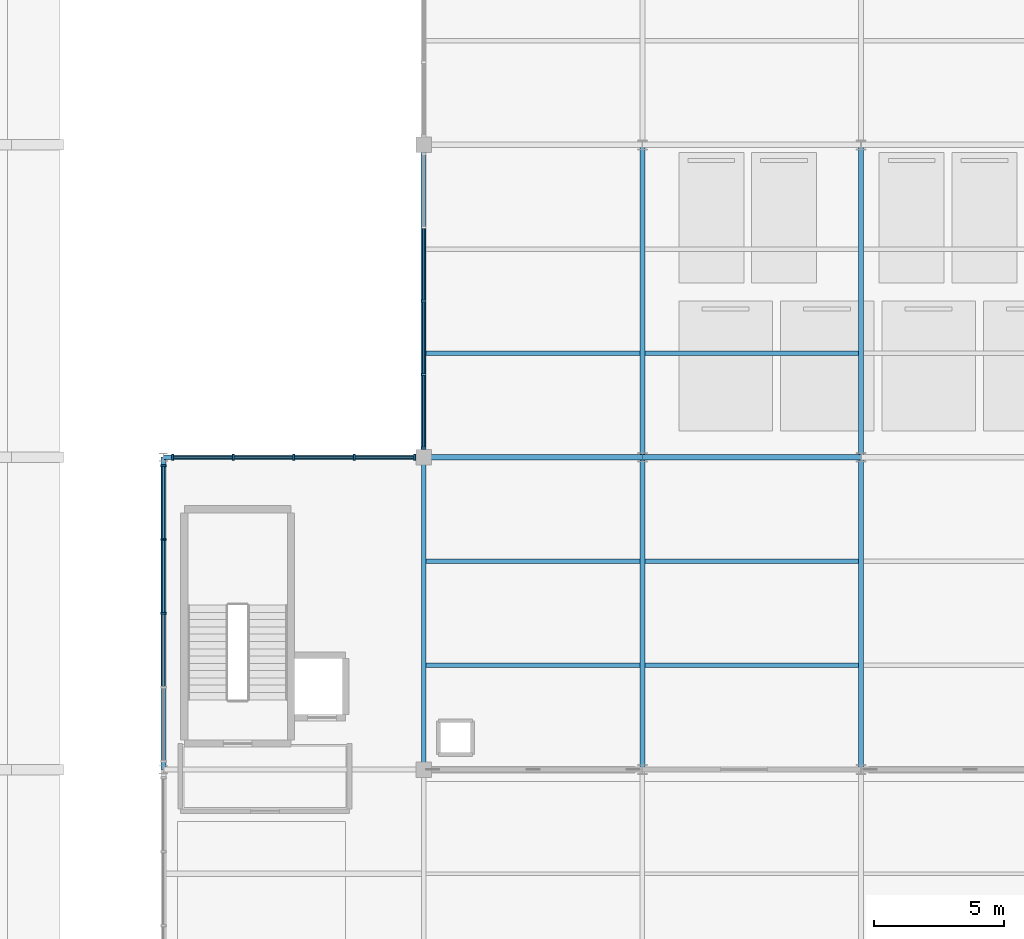
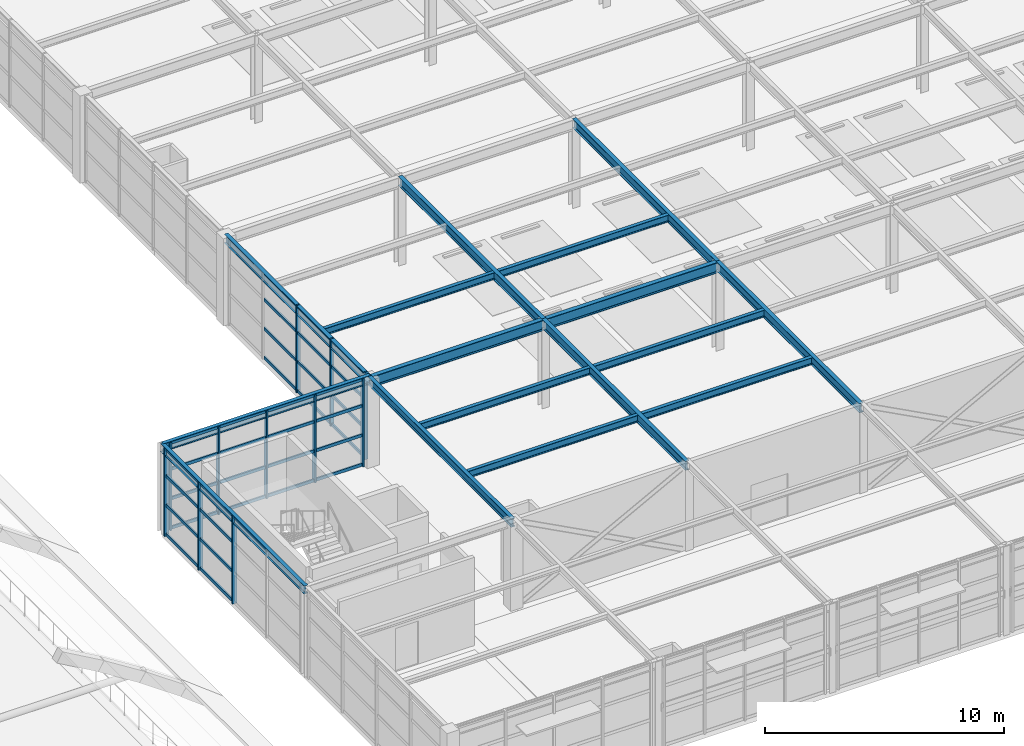
# One storey, part 20 of 82: 48 members, 16 beams, 3 elements without a shape of their own.
"""IFC4 building model written with IfcOpenShell, lengths in metres."""

from ifc_helpers import new_model, si_unit, direction, frame, origin, origin_2d, place, context, subcontext, project, spatial, rectangle, i_section, extrude, material, layer, layer_set, material_profile, profile_set, type_object, element, aggregate, save


model = new_model("IFC4")

# Units and contexts
model_context = context("Model", 3, precision=1e-05, world=origin(), true_north=direction((0.0, 1.0)))
body_context = subcontext(model_context, "Body", "Model", "MODEL_VIEW")
ifc_project = project(units=[si_unit("LENGTHUNIT", "METRE"), si_unit("AREAUNIT", "SQUARE_METRE"), si_unit("VOLUMEUNIT", "CUBIC_METRE"), si_unit("PLANEANGLEUNIT", "RADIAN"), si_unit("MASSUNIT", "GRAM", prefix="KILO")], contexts=[model_context])

# Site, building, storey
site_placement = place(None, origin())
site = spatial("IfcSite", under=ifc_project, at=site_placement, CompositionType="ELEMENT")
building_placement = place(site_placement, origin())
building = spatial("IfcBuilding", under=site, at=building_placement, Name="Sitalva Quay Ferry Terminal", CompositionType="ELEMENT")
storey_placement = place(building_placement, frame((0.0, 0.0, 5.39990234375)))
storey = spatial("IfcBuildingStorey", under=building, at=storey_placement, Name="L02", CompositionType="ELEMENT", Elevation=5.39990234375)

# Beams
ifc_material_1 = material(Name="Structural Steel S355JR", Category="steel")
ifc_material_profile_1 = material_profile(ifc_material_1, i_section(OverallWidth=0.180908203125, OverallDepth=0.4169921875, WebThickness=0.010986328125, FlangeThickness=0.018310546875, FilletRadius=0.012939453125, at=origin_2d()), Name="W410x85")
ifc_profile_set_1 = profile_set([ifc_material_profile_1], Name="Structural Steel S355JR")
beam_type_1 = type_object("IfcBeamType", Name="Beam_W410x85", PredefinedType="BEAM", material=ifc_profile_set_1)
beam_1_placement = place(storey_placement, frame((74.0, 30.0, 4.33154296875), z_axis=(1.0, 0.0, 0.0), x_axis=(0.0, 1.0, 0.0)))
element("IfcBeam", 1, at=beam_1_placement, inside=storey, type_object=beam_type_1, Name="L02 Primary X girder 0697", PredefinedType="BEAM", context=body_context, shape_type="SweptSolid", body=[
    extrude(i_section(OverallWidth=0.180908203125, OverallDepth=0.4169921875, WebThickness=0.010986328125, FlangeThickness=0.018310546875, FilletRadius=0.012939453125, at=origin_2d()), origin(), (0.0, 0.0, 1.0), 10.0),
])
for number, where, z_axis, x_axis, name in (
    (2, (74.0, 18.0, 4.33154296875), (0.0, 1.0, 0.0), (-1.0, 0.0, 0.0), "L02 Primary Y girder 0699"),
    (3, (84.0, 18.0, 4.24169921875), (0.0, 1.0, 0.0), (-1.0, 0.0, 0.0), "L02 Primary Y girder 0701"),
):
    element("IfcBeam", number, at=place(storey_placement, frame(where, z_axis=z_axis, x_axis=x_axis)), inside=storey, type_object=beam_type_1, Name=name, PredefinedType="BEAM", context=body_context, shape_type="SweptSolid", body=[
        extrude(i_section(OverallWidth=0.180908203125, OverallDepth=0.4169921875, WebThickness=0.010986328125, FlangeThickness=0.018310546875, FilletRadius=0.012939453125, at=origin_2d()), origin(), (0.0, 0.0, 1.0), 12.0),
    ])
ifc_material_2 = material(Name="Structural Steel S355JR", Category="steel")
ifc_material_profile_2 = material_profile(ifc_material_2, i_section(OverallWidth=0.19091796875, OverallDepth=0.4599609375, WebThickness=0.010009765625, FlangeThickness=0.01611328125, FilletRadius=0.013916015625, at=origin_2d()), Name="W460x82")
ifc_profile_set_2 = profile_set([ifc_material_profile_2], Name="Structural Steel S355JR")
beam_type_2 = type_object("IfcBeamType", Name="Beam_W460x82", PredefinedType="BEAM", material=ifc_profile_set_2)
for number, where, z_axis, x_axis, name in (
    (4, (84.0, 30.0, 4.22021484375), (0.0, 1.0, 0.0), (-1.0, 0.0, 0.0), "L02 Primary Y girder 0809"),
    (5, (92.39990234375, 18.0, 4.22021484375), (0.0, 1.0, 0.0), (-1.0, 0.0, 0.0), "L02 Primary Y girder 0812"),
    (6, (92.39990234375, 30.0, 4.22021484375), (0.0, 1.0, 0.0), (-1.0, 0.0, 0.0), "L02 Primary Y girder 0813"),
    (7, (100.800048828125, 18.0, 4.22021484375), (0.0, 1.0, 0.0), (-1.0, 0.0, 0.0), "L02 Primary Y girder 0817"),
    (8, (100.800048828125, 30.0, 4.22021484375), (0.0, 1.0, 0.0), (-1.0, 0.0, 0.0), "L02 Primary Y girder 0818"),
):
    element("IfcBeam", number, at=place(storey_placement, frame(where, z_axis=z_axis, x_axis=x_axis)), inside=storey, type_object=beam_type_2, Name=name, PredefinedType="BEAM", context=body_context, shape_type="SweptSolid", body=[
        extrude(i_section(OverallWidth=0.19091796875, OverallDepth=0.4599609375, WebThickness=0.010009765625, FlangeThickness=0.01611328125, FilletRadius=0.013916015625, at=origin_2d()), origin(), (0.0, 0.0, 1.0), 12.0),
    ])
ifc_material_3 = material(Name="Structural Steel S355JR", Category="steel")
ifc_material_profile_3 = material_profile(ifc_material_3, i_section(OverallWidth=0.2119140625, OverallDepth=0.5439453125, WebThickness=0.01318359375, FlangeThickness=0.021240234375, FilletRadius=0.014892578125, at=origin_2d()), Name="W530x123")
ifc_profile_set_3 = profile_set([ifc_material_profile_3], Name="Structural Steel S355JR")
beam_type_3 = type_object("IfcBeamType", Name="Girder_W530x123", PredefinedType="USERDEFINED", material=ifc_profile_set_3)
beam_2_placement = place(storey_placement, frame((84.0, 30.0, 4.177978515625), z_axis=(1.0, 0.0, 0.0), x_axis=(0.0, 1.0, 0.0)))
element("IfcBeam", 9, at=beam_2_placement, inside=storey, type_object=beam_type_3, Name="L02 Primary X girder 0759", ObjectType="GIRDER", PredefinedType="USERDEFINED", context=body_context, shape_type="SweptSolid", body=[
    extrude(i_section(OverallWidth=0.2119140625, OverallDepth=0.5439453125, WebThickness=0.01318359375, FlangeThickness=0.021240234375, FilletRadius=0.014892578125, at=origin_2d()), origin(), (0.0, 0.0, 1.0), 8.39990234375),
])
beam_3_placement = place(storey_placement, frame((92.39990234375, 30.0, 4.177978515625), z_axis=(1.0, 0.0, 0.0), x_axis=(0.0, 1.0, 0.0)))
element("IfcBeam", 10, at=beam_3_placement, inside=storey, type_object=beam_type_3, Name="L02 Primary X girder 0760", ObjectType="GIRDER", PredefinedType="USERDEFINED", context=body_context, shape_type="SweptSolid", body=[
    extrude(i_section(OverallWidth=0.2119140625, OverallDepth=0.5439453125, WebThickness=0.01318359375, FlangeThickness=0.021240234375, FilletRadius=0.014892578125, at=origin_2d()), origin(), (0.0, 0.0, 1.0), 8.400146484375),
])
ifc_material_4 = material(Name="Structural Steel S355JR", Category="steel")
ifc_material_profile_4 = material_profile(ifc_material_4, i_section(OverallWidth=0.172119140625, OverallDepth=0.35791015625, WebThickness=0.0078125, FlangeThickness=0.01318359375, FilletRadius=0.011962890625, at=origin_2d()), Name="W360x57")
ifc_profile_set_4 = profile_set([ifc_material_profile_4], Name="Structural Steel S355JR")
beam_type_4 = type_object("IfcBeamType", Name="Joist_W360x57", PredefinedType="JOIST", material=ifc_profile_set_4)
for number, where, z_axis, x_axis, name in (
    (11, (84.095458984375, 22.0, 4.27099609375), (1.0, 0.0, 0.0), (0.0, 1.0, 0.0), "L02 Secondary joist 0862"),
    (12, (92.49560546875, 22.0, 4.27099609375), (1.0, 0.0, 0.0), (0.0, 1.0, 0.0), "L02 Secondary joist 0863"),
    (13, (84.095458984375, 26.0, 4.27099609375), (1.0, 0.0, 0.0), (0.0, 1.0, 0.0), "L02 Secondary joist 0871"),
    (14, (92.49560546875, 26.0, 4.27099609375), (1.0, 0.0, 0.0), (0.0, 1.0, 0.0), "L02 Secondary joist 0872"),
    (15, (84.095458984375, 34.0, 4.27099609375), (1.0, 0.0, 0.0), (0.0, 1.0, 0.0), "L02 Secondary joist 0880"),
    (16, (92.49560546875, 34.0, 4.27099609375), (1.0, 0.0, 0.0), (0.0, 1.0, 0.0), "L02 Secondary joist 0881"),
):
    element("IfcBeam", number, at=place(storey_placement, frame(where, z_axis=z_axis, x_axis=x_axis)), inside=storey, type_object=beam_type_4, Name=name, PredefinedType="JOIST", context=body_context, shape_type="SweptSolid", body=[
        extrude(i_section(OverallWidth=0.172119140625, OverallDepth=0.35791015625, WebThickness=0.0078125, FlangeThickness=0.01318359375, FilletRadius=0.011962890625, at=origin_2d()), origin(), (0.0, 0.0, 1.0), 8.208984375),
    ])

# Curtain wall, members
ifc_material_5 = material(Name="Anodised Aluminium & Low-E Glazing", Category="aluminium")
ifc_layer_1 = layer(ifc_material_5, 0.159912109375)
ifc_layer_set_1 = layer_set([ifc_layer_1], Name="Anodised Aluminium & Low-E Glazing")
curtain_wall_type_1 = type_object("IfcCurtainWallType", Name="CW_Podium_Stick", PredefinedType="USERDEFINED", material=ifc_layer_set_1)
curtain_wall_1_placement = place(storey_placement, origin())
curtain_wall_1 = element("IfcCurtainWall", 17, at=curtain_wall_1_placement, inside=storey, type_object=curtain_wall_type_1, Name="L02 east monsoon court south glazing (CW-L02-078)", ObjectType="CURTAIN_WALL", PredefinedType="USERDEFINED")
ifc_material_6 = material(Name="Anodised Aluminium 6063-T6", Category="aluminium")
ifc_material_profile_5 = material_profile(ifc_material_6, rectangle(XDim=0.074951171875, YDim=0.219970703125, at=origin_2d()), Name="ALU75x220")
ifc_profile_set_5 = profile_set([ifc_material_profile_5], Name="Anodised Aluminium 6063-T6")
member_type_1 = type_object("IfcMemberType", Name="Mullion_Alu_75x160", PredefinedType="MULLION", material=ifc_profile_set_5)
member_1_placement = place(storey_placement, frame((74.35009765625, 30.0, 0.0), z_axis=(0.0, 0.0, 1.0), x_axis=(1.0, 0.0, 0.0)))
member_1 = element("IfcMember", 18, at=member_1_placement, type_object=member_type_1, Name="CW-L02-078-M0", PredefinedType="MULLION", context=body_context, shape_type="SweptSolid", body=[
    extrude(rectangle(XDim=0.074951171875, YDim=0.219970703125, at=origin_2d()), origin(), (0.0, 0.0, 1.0), 4.5),
])
member_2_placement = place(storey_placement, frame((76.675048828125, 30.0, 0.0), z_axis=(0.0, 0.0, 1.0), x_axis=(1.0, 0.0, 0.0)))
member_2 = element("IfcMember", 19, at=member_2_placement, type_object=member_type_1, Name="CW-L02-078-M1", PredefinedType="MULLION", context=body_context, shape_type="SweptSolid", body=[
    extrude(rectangle(XDim=0.074951171875, YDim=0.219970703125, at=origin_2d()), origin(), (0.0, 0.0, 1.0), 4.5),
])
member_3_placement = place(storey_placement, frame((79.0, 30.0, 0.0), z_axis=(0.0, 0.0, 1.0), x_axis=(1.0, 0.0, 0.0)))
member_3 = element("IfcMember", 20, at=member_3_placement, type_object=member_type_1, Name="CW-L02-078-M2", PredefinedType="MULLION", context=body_context, shape_type="SweptSolid", body=[
    extrude(rectangle(XDim=0.074951171875, YDim=0.219970703125, at=origin_2d()), origin(), (0.0, 0.0, 1.0), 4.5),
])
member_4_placement = place(storey_placement, frame((81.324951171875, 30.0, 0.0), z_axis=(0.0, 0.0, 1.0), x_axis=(1.0, 0.0, 0.0)))
member_4 = element("IfcMember", 21, at=member_4_placement, type_object=member_type_1, Name="CW-L02-078-M3", PredefinedType="MULLION", context=body_context, shape_type="SweptSolid", body=[
    extrude(rectangle(XDim=0.074951171875, YDim=0.219970703125, at=origin_2d()), origin(), (0.0, 0.0, 1.0), 4.5),
])
member_5_placement = place(storey_placement, frame((83.64990234375, 30.0, 0.0), z_axis=(0.0, 0.0, 1.0), x_axis=(1.0, 0.0, 0.0)))
member_5 = element("IfcMember", 22, at=member_5_placement, type_object=member_type_1, Name="CW-L02-078-M4", PredefinedType="MULLION", context=body_context, shape_type="SweptSolid", body=[
    extrude(rectangle(XDim=0.074951171875, YDim=0.219970703125, at=origin_2d()), origin(), (0.0, 0.0, 1.0), 4.5),
])

curtain_wall_2_placement = place(storey_placement, origin())
curtain_wall_2 = element("IfcCurtainWall", 23, at=curtain_wall_2_placement, inside=storey, type_object=curtain_wall_type_1, Name="L02 spine west clerestory over V1 eaves (CW-L02-084)", ObjectType="CURTAIN_WALL", PredefinedType="USERDEFINED")
member_6_placement = place(storey_placement, frame((74.0, 24.0, 0.0), z_axis=(0.0, 0.0, 1.0), x_axis=(0.0, 1.0, 0.0)))
member_6 = element("IfcMember", 24, at=member_6_placement, type_object=member_type_1, Name="CW-L02-084-M2", PredefinedType="MULLION", context=body_context, shape_type="SweptSolid", body=[
    extrude(rectangle(XDim=0.074951171875, YDim=0.219970703125, at=origin_2d()), origin(), (0.0, 0.0, 1.0), 4.5),
])
member_7_placement = place(storey_placement, frame((74.0, 26.840087890625, 0.0), z_axis=(0.0, 0.0, 1.0), x_axis=(0.0, 1.0, 0.0)))
member_7 = element("IfcMember", 25, at=member_7_placement, type_object=member_type_1, Name="CW-L02-084-M3", PredefinedType="MULLION", context=body_context, shape_type="SweptSolid", body=[
    extrude(rectangle(XDim=0.074951171875, YDim=0.219970703125, at=origin_2d()), origin(), (0.0, 0.0, 1.0), 4.5),
])
member_8_placement = place(storey_placement, frame((74.0, 29.679931640625, 0.0), z_axis=(0.0, 0.0, 1.0), x_axis=(0.0, 1.0, 0.0)))
member_8 = element("IfcMember", 26, at=member_8_placement, type_object=member_type_1, Name="CW-L02-084-M4", PredefinedType="MULLION", context=body_context, shape_type="SweptSolid", body=[
    extrude(rectangle(XDim=0.074951171875, YDim=0.219970703125, at=origin_2d()), origin(), (0.0, 0.0, 1.0), 4.5),
])

ifc_material_7 = material(Name="Anodised Aluminium & Low-E Glazing", Category="aluminium")
ifc_layer_2 = layer(ifc_material_7, 0.159912109375)
ifc_layer_set_2 = layer_set([ifc_layer_2], Name="Anodised Aluminium & Low-E Glazing")
curtain_wall_type_2 = type_object("IfcCurtainWallType", Name="CW_Coastal_Louvred", PredefinedType="USERDEFINED", material=ifc_layer_set_2)
curtain_wall_3_placement = place(storey_placement, origin())
curtain_wall_3 = element("IfcCurtainWall", 27, at=curtain_wall_3_placement, inside=storey, type_object=curtain_wall_type_2, Name="L02 east court louvred wall (CW-L02-080)", ObjectType="CURTAIN_WALL", PredefinedType="USERDEFINED")
ifc_material_8 = material(Name="Anodised Aluminium 6063-T6", Category="aluminium")
ifc_material_profile_6 = material_profile(ifc_material_8, rectangle(XDim=0.080078125, YDim=0.18505859375, at=origin_2d()), Name="ALU80x185")
ifc_profile_set_6 = profile_set([ifc_material_profile_6], Name="Anodised Aluminium 6063-T6")
member_type_2 = type_object("IfcMemberType", Name="Mullion_Alu_80x185", PredefinedType="MULLION", material=ifc_profile_set_6)
member_9_placement = place(storey_placement, frame((84.0, 30.35009765625, 0.0), z_axis=(0.0, 0.0, 1.0), x_axis=(0.0, 1.0, 0.0)))
member_9 = element("IfcMember", 28, at=member_9_placement, type_object=member_type_2, Name="CW-L02-080-M0", PredefinedType="MULLION", context=body_context, shape_type="SweptSolid", body=[
    extrude(rectangle(XDim=0.080078125, YDim=0.18505859375, at=origin_2d()), origin(), (0.0, 0.0, 1.0), 4.4501953125),
])
member_10_placement = place(storey_placement, frame((84.0, 33.175048828125, 0.0), z_axis=(0.0, 0.0, 1.0), x_axis=(0.0, 1.0, 0.0)))
member_10 = element("IfcMember", 29, at=member_10_placement, type_object=member_type_2, Name="CW-L02-080-M1", PredefinedType="MULLION", context=body_context, shape_type="SweptSolid", body=[
    extrude(rectangle(XDim=0.080078125, YDim=0.18505859375, at=origin_2d()), origin(), (0.0, 0.0, 1.0), 4.4501953125),
])
member_11_placement = place(storey_placement, frame((84.0, 36.0, 0.0), z_axis=(0.0, 0.0, 1.0), x_axis=(0.0, 1.0, 0.0)))
member_11 = element("IfcMember", 30, at=member_11_placement, type_object=member_type_2, Name="CW-L02-080-M2", PredefinedType="MULLION", context=body_context, shape_type="SweptSolid", body=[
    extrude(rectangle(XDim=0.080078125, YDim=0.18505859375, at=origin_2d()), origin(), (0.0, 0.0, 1.0), 4.4501953125),
])

# Member
ifc_material_9 = material(Name="Anodised Aluminium 6063-T6", Category="aluminium")
ifc_material_profile_7 = material_profile(ifc_material_9, rectangle(XDim=0.074951171875, YDim=0.155029296875, at=origin_2d()), Name="ALU75x155")
ifc_profile_set_7 = profile_set([ifc_material_profile_7], Name="Anodised Aluminium 6063-T6")
member_type_3 = type_object("IfcMemberType", Name="Transom_Alu_70x135", PredefinedType="MULLION", material=ifc_profile_set_7)
member_12_placement = place(storey_placement, frame((74.387451171875, 30.0, 0.07763671875), z_axis=(1.0, 0.0, 0.0), x_axis=(0.0, 1.0, 0.0)))
member_12 = element("IfcMember", 31, at=member_12_placement, type_object=member_type_3, Name="CW-L02-078-T0-0", ObjectType="TRANSOM", PredefinedType="USERDEFINED", context=body_context, shape_type="SweptSolid", body=[
    extrude(rectangle(XDim=0.074951171875, YDim=0.155029296875, at=origin_2d()), origin(), (0.0, 0.0, 1.0), 2.25),
])

member_13_placement = place(storey_placement, frame((74.387451171875, 30.0, 1.57763671875), z_axis=(1.0, 0.0, 0.0), x_axis=(0.0, 1.0, 0.0)))
member_13 = element("IfcMember", 32, at=member_13_placement, type_object=member_type_3, Name="CW-L02-078-T0-1", ObjectType="TRANSOM", PredefinedType="USERDEFINED", context=body_context, shape_type="SweptSolid", body=[
    extrude(rectangle(XDim=0.074951171875, YDim=0.155029296875, at=origin_2d()), origin(), (0.0, 0.0, 1.0), 2.25),
])

member_14_placement = place(storey_placement, frame((74.387451171875, 30.0, 3.07763671875), z_axis=(1.0, 0.0, 0.0), x_axis=(0.0, 1.0, 0.0)))
member_14 = element("IfcMember", 33, at=member_14_placement, type_object=member_type_3, Name="CW-L02-078-T0-2", ObjectType="TRANSOM", PredefinedType="USERDEFINED", context=body_context, shape_type="SweptSolid", body=[
    extrude(rectangle(XDim=0.074951171875, YDim=0.155029296875, at=origin_2d()), origin(), (0.0, 0.0, 1.0), 2.25),
])

member_15_placement = place(storey_placement, frame((74.387451171875, 30.0, 4.422607421875), z_axis=(1.0, 0.0, 0.0), x_axis=(0.0, 1.0, 0.0)))
member_15 = element("IfcMember", 34, at=member_15_placement, type_object=member_type_3, Name="CW-L02-078-T0-3", ObjectType="TRANSOM", PredefinedType="USERDEFINED", context=body_context, shape_type="SweptSolid", body=[
    extrude(rectangle(XDim=0.074951171875, YDim=0.155029296875, at=origin_2d()), origin(), (0.0, 0.0, 1.0), 2.25),
])

member_16_placement = place(storey_placement, frame((76.71240234375, 30.0, 0.07763671875), z_axis=(1.0, 0.0, 0.0), x_axis=(0.0, 1.0, 0.0)))
member_16 = element("IfcMember", 35, at=member_16_placement, type_object=member_type_3, Name="CW-L02-078-T1-0", ObjectType="TRANSOM", PredefinedType="USERDEFINED", context=body_context, shape_type="SweptSolid", body=[
    extrude(rectangle(XDim=0.074951171875, YDim=0.155029296875, at=origin_2d()), origin(), (0.0, 0.0, 1.0), 2.25),
])

member_17_placement = place(storey_placement, frame((76.71240234375, 30.0, 1.57763671875), z_axis=(1.0, 0.0, 0.0), x_axis=(0.0, 1.0, 0.0)))
member_17 = element("IfcMember", 36, at=member_17_placement, type_object=member_type_3, Name="CW-L02-078-T1-1", ObjectType="TRANSOM", PredefinedType="USERDEFINED", context=body_context, shape_type="SweptSolid", body=[
    extrude(rectangle(XDim=0.074951171875, YDim=0.155029296875, at=origin_2d()), origin(), (0.0, 0.0, 1.0), 2.25),
])

member_18_placement = place(storey_placement, frame((76.71240234375, 30.0, 3.07763671875), z_axis=(1.0, 0.0, 0.0), x_axis=(0.0, 1.0, 0.0)))
member_18 = element("IfcMember", 37, at=member_18_placement, type_object=member_type_3, Name="CW-L02-078-T1-2", ObjectType="TRANSOM", PredefinedType="USERDEFINED", context=body_context, shape_type="SweptSolid", body=[
    extrude(rectangle(XDim=0.074951171875, YDim=0.155029296875, at=origin_2d()), origin(), (0.0, 0.0, 1.0), 2.25),
])

member_19_placement = place(storey_placement, frame((76.71240234375, 30.0, 4.422607421875), z_axis=(1.0, 0.0, 0.0), x_axis=(0.0, 1.0, 0.0)))
member_19 = element("IfcMember", 38, at=member_19_placement, type_object=member_type_3, Name="CW-L02-078-T1-3", ObjectType="TRANSOM", PredefinedType="USERDEFINED", context=body_context, shape_type="SweptSolid", body=[
    extrude(rectangle(XDim=0.074951171875, YDim=0.155029296875, at=origin_2d()), origin(), (0.0, 0.0, 1.0), 2.25),
])

member_20_placement = place(storey_placement, frame((79.03759765625, 30.0, 0.07763671875), z_axis=(1.0, 0.0, 0.0), x_axis=(0.0, 1.0, 0.0)))
member_20 = element("IfcMember", 39, at=member_20_placement, type_object=member_type_3, Name="CW-L02-078-T2-0", ObjectType="TRANSOM", PredefinedType="USERDEFINED", context=body_context, shape_type="SweptSolid", body=[
    extrude(rectangle(XDim=0.074951171875, YDim=0.155029296875, at=origin_2d()), origin(), (0.0, 0.0, 1.0), 2.25),
])

member_21_placement = place(storey_placement, frame((79.03759765625, 30.0, 1.57763671875), z_axis=(1.0, 0.0, 0.0), x_axis=(0.0, 1.0, 0.0)))
member_21 = element("IfcMember", 40, at=member_21_placement, type_object=member_type_3, Name="CW-L02-078-T2-1", ObjectType="TRANSOM", PredefinedType="USERDEFINED", context=body_context, shape_type="SweptSolid", body=[
    extrude(rectangle(XDim=0.074951171875, YDim=0.155029296875, at=origin_2d()), origin(), (0.0, 0.0, 1.0), 2.25),
])

member_22_placement = place(storey_placement, frame((79.03759765625, 30.0, 3.07763671875), z_axis=(1.0, 0.0, 0.0), x_axis=(0.0, 1.0, 0.0)))
member_22 = element("IfcMember", 41, at=member_22_placement, type_object=member_type_3, Name="CW-L02-078-T2-2", ObjectType="TRANSOM", PredefinedType="USERDEFINED", context=body_context, shape_type="SweptSolid", body=[
    extrude(rectangle(XDim=0.074951171875, YDim=0.155029296875, at=origin_2d()), origin(), (0.0, 0.0, 1.0), 2.25),
])

member_23_placement = place(storey_placement, frame((79.03759765625, 30.0, 4.422607421875), z_axis=(1.0, 0.0, 0.0), x_axis=(0.0, 1.0, 0.0)))
member_23 = element("IfcMember", 42, at=member_23_placement, type_object=member_type_3, Name="CW-L02-078-T2-3", ObjectType="TRANSOM", PredefinedType="USERDEFINED", context=body_context, shape_type="SweptSolid", body=[
    extrude(rectangle(XDim=0.074951171875, YDim=0.155029296875, at=origin_2d()), origin(), (0.0, 0.0, 1.0), 2.25),
])

member_24_placement = place(storey_placement, frame((81.362548828125, 30.0, 0.07763671875), z_axis=(1.0, 0.0, 0.0), x_axis=(0.0, 1.0, 0.0)))
member_24 = element("IfcMember", 43, at=member_24_placement, type_object=member_type_3, Name="CW-L02-078-T3-0", ObjectType="TRANSOM", PredefinedType="USERDEFINED", context=body_context, shape_type="SweptSolid", body=[
    extrude(rectangle(XDim=0.074951171875, YDim=0.155029296875, at=origin_2d()), origin(), (0.0, 0.0, 1.0), 2.25),
])

member_25_placement = place(storey_placement, frame((81.362548828125, 30.0, 1.57763671875), z_axis=(1.0, 0.0, 0.0), x_axis=(0.0, 1.0, 0.0)))
member_25 = element("IfcMember", 44, at=member_25_placement, type_object=member_type_3, Name="CW-L02-078-T3-1", ObjectType="TRANSOM", PredefinedType="USERDEFINED", context=body_context, shape_type="SweptSolid", body=[
    extrude(rectangle(XDim=0.074951171875, YDim=0.155029296875, at=origin_2d()), origin(), (0.0, 0.0, 1.0), 2.25),
])

member_26_placement = place(storey_placement, frame((81.362548828125, 30.0, 3.07763671875), z_axis=(1.0, 0.0, 0.0), x_axis=(0.0, 1.0, 0.0)))
member_26 = element("IfcMember", 45, at=member_26_placement, type_object=member_type_3, Name="CW-L02-078-T3-2", ObjectType="TRANSOM", PredefinedType="USERDEFINED", context=body_context, shape_type="SweptSolid", body=[
    extrude(rectangle(XDim=0.074951171875, YDim=0.155029296875, at=origin_2d()), origin(), (0.0, 0.0, 1.0), 2.25),
])

member_27_placement = place(storey_placement, frame((81.362548828125, 30.0, 4.422607421875), z_axis=(1.0, 0.0, 0.0), x_axis=(0.0, 1.0, 0.0)))
member_27 = element("IfcMember", 46, at=member_27_placement, type_object=member_type_3, Name="CW-L02-078-T3-3", ObjectType="TRANSOM", PredefinedType="USERDEFINED", context=body_context, shape_type="SweptSolid", body=[
    extrude(rectangle(XDim=0.074951171875, YDim=0.155029296875, at=origin_2d()), origin(), (0.0, 0.0, 1.0), 2.25),
])

aggregate(curtain_wall_1, [member_1, member_2, member_3, member_4, member_5, member_12, member_13, member_14, member_15, member_16, member_17, member_18, member_19, member_20, member_21, member_22, member_23, member_24, member_25, member_26, member_27])

member_28_placement = place(storey_placement, frame((74.0, 21.197509765625, 4.422607421875), z_axis=(0.0, 1.0, 0.0), x_axis=(-1.0, 0.0, 0.0)))
member_28 = element("IfcMember", 47, at=member_28_placement, type_object=member_type_3, Name="CW-L02-084-T1-3", ObjectType="TRANSOM", PredefinedType="USERDEFINED", context=body_context, shape_type="SweptSolid", body=[
    extrude(rectangle(XDim=0.074951171875, YDim=0.155029296875, at=origin_2d()), origin(), (0.0, 0.0, 1.0), 2.764892578125),
])

member_29_placement = place(storey_placement, frame((74.0, 24.03759765625, 0.07763671875), z_axis=(0.0, 1.0, 0.0), x_axis=(-1.0, 0.0, 0.0)))
member_29 = element("IfcMember", 48, at=member_29_placement, type_object=member_type_3, Name="CW-L02-084-T2-0", ObjectType="TRANSOM", PredefinedType="USERDEFINED", context=body_context, shape_type="SweptSolid", body=[
    extrude(rectangle(XDim=0.074951171875, YDim=0.155029296875, at=origin_2d()), origin(), (0.0, 0.0, 1.0), 2.764892578125),
])

member_30_placement = place(storey_placement, frame((74.0, 24.03759765625, 1.57763671875), z_axis=(0.0, 1.0, 0.0), x_axis=(-1.0, 0.0, 0.0)))
member_30 = element("IfcMember", 49, at=member_30_placement, type_object=member_type_3, Name="CW-L02-084-T2-1", ObjectType="TRANSOM", PredefinedType="USERDEFINED", context=body_context, shape_type="SweptSolid", body=[
    extrude(rectangle(XDim=0.074951171875, YDim=0.155029296875, at=origin_2d()), origin(), (0.0, 0.0, 1.0), 2.764892578125),
])

member_31_placement = place(storey_placement, frame((74.0, 24.03759765625, 3.07763671875), z_axis=(0.0, 1.0, 0.0), x_axis=(-1.0, 0.0, 0.0)))
member_31 = element("IfcMember", 50, at=member_31_placement, type_object=member_type_3, Name="CW-L02-084-T2-2", ObjectType="TRANSOM", PredefinedType="USERDEFINED", context=body_context, shape_type="SweptSolid", body=[
    extrude(rectangle(XDim=0.074951171875, YDim=0.155029296875, at=origin_2d()), origin(), (0.0, 0.0, 1.0), 2.764892578125),
])

member_32_placement = place(storey_placement, frame((74.0, 24.03759765625, 4.422607421875), z_axis=(0.0, 1.0, 0.0), x_axis=(-1.0, 0.0, 0.0)))
member_32 = element("IfcMember", 51, at=member_32_placement, type_object=member_type_3, Name="CW-L02-084-T2-3", ObjectType="TRANSOM", PredefinedType="USERDEFINED", context=body_context, shape_type="SweptSolid", body=[
    extrude(rectangle(XDim=0.074951171875, YDim=0.155029296875, at=origin_2d()), origin(), (0.0, 0.0, 1.0), 2.764892578125),
])

member_33_placement = place(storey_placement, frame((74.0, 26.87744140625, 0.07763671875), z_axis=(0.0, 1.0, 0.0), x_axis=(-1.0, 0.0, 0.0)))
member_33 = element("IfcMember", 52, at=member_33_placement, type_object=member_type_3, Name="CW-L02-084-T3-0", ObjectType="TRANSOM", PredefinedType="USERDEFINED", context=body_context, shape_type="SweptSolid", body=[
    extrude(rectangle(XDim=0.074951171875, YDim=0.155029296875, at=origin_2d()), origin(), (0.0, 0.0, 1.0), 2.76513671875),
])

member_34_placement = place(storey_placement, frame((74.0, 26.87744140625, 1.57763671875), z_axis=(0.0, 1.0, 0.0), x_axis=(-1.0, 0.0, 0.0)))
member_34 = element("IfcMember", 53, at=member_34_placement, type_object=member_type_3, Name="CW-L02-084-T3-1", ObjectType="TRANSOM", PredefinedType="USERDEFINED", context=body_context, shape_type="SweptSolid", body=[
    extrude(rectangle(XDim=0.074951171875, YDim=0.155029296875, at=origin_2d()), origin(), (0.0, 0.0, 1.0), 2.76513671875),
])

member_35_placement = place(storey_placement, frame((74.0, 26.87744140625, 3.07763671875), z_axis=(0.0, 1.0, 0.0), x_axis=(-1.0, 0.0, 0.0)))
member_35 = element("IfcMember", 54, at=member_35_placement, type_object=member_type_3, Name="CW-L02-084-T3-2", ObjectType="TRANSOM", PredefinedType="USERDEFINED", context=body_context, shape_type="SweptSolid", body=[
    extrude(rectangle(XDim=0.074951171875, YDim=0.155029296875, at=origin_2d()), origin(), (0.0, 0.0, 1.0), 2.76513671875),
])

member_36_placement = place(storey_placement, frame((74.0, 26.87744140625, 4.422607421875), z_axis=(0.0, 1.0, 0.0), x_axis=(-1.0, 0.0, 0.0)))
member_36 = element("IfcMember", 55, at=member_36_placement, type_object=member_type_3, Name="CW-L02-084-T3-3", ObjectType="TRANSOM", PredefinedType="USERDEFINED", context=body_context, shape_type="SweptSolid", body=[
    extrude(rectangle(XDim=0.074951171875, YDim=0.155029296875, at=origin_2d()), origin(), (0.0, 0.0, 1.0), 2.76513671875),
])

aggregate(curtain_wall_2, [member_6, member_7, member_8, member_28, member_29, member_30, member_31, member_32, member_33, member_34, member_35, member_36])

ifc_material_10 = material(Name="Anodised Aluminium 6063-T6", Category="aluminium")
ifc_material_profile_8 = material_profile(ifc_material_10, rectangle(XDim=0.074951171875, YDim=0.14990234375, at=origin_2d()), Name="ALU75x150")
ifc_profile_set_8 = profile_set([ifc_material_profile_8], Name="Anodised Aluminium 6063-T6")
member_type_4 = type_object("IfcMemberType", Name="Transom_Alu_75x140", PredefinedType="MULLION", material=ifc_profile_set_8)
member_37_placement = place(storey_placement, frame((84.0, 30.389892578125, 0.0751953125), z_axis=(0.0, 1.0, 0.0), x_axis=(-1.0, 0.0, 0.0)))
member_37 = element("IfcMember", 56, at=member_37_placement, type_object=member_type_4, Name="CW-L02-080-T0-0", ObjectType="TRANSOM", PredefinedType="USERDEFINED", context=body_context, shape_type="SweptSolid", body=[
    extrude(rectangle(XDim=0.074951171875, YDim=0.14990234375, at=origin_2d()), origin(), (0.0, 0.0, 1.0), 2.7451171875),
])

member_38_placement = place(storey_placement, frame((84.0, 30.389892578125, 1.558349609375), z_axis=(0.0, 1.0, 0.0), x_axis=(-1.0, 0.0, 0.0)))
member_38 = element("IfcMember", 57, at=member_38_placement, type_object=member_type_4, Name="CW-L02-080-T0-1", ObjectType="TRANSOM", PredefinedType="USERDEFINED", context=body_context, shape_type="SweptSolid", body=[
    extrude(rectangle(XDim=0.074951171875, YDim=0.14990234375, at=origin_2d()), origin(), (0.0, 0.0, 1.0), 2.7451171875),
])

member_39_placement = place(storey_placement, frame((84.0, 30.389892578125, 3.041748046875), z_axis=(0.0, 1.0, 0.0), x_axis=(-1.0, 0.0, 0.0)))
member_39 = element("IfcMember", 58, at=member_39_placement, type_object=member_type_4, Name="CW-L02-080-T0-2", ObjectType="TRANSOM", PredefinedType="USERDEFINED", context=body_context, shape_type="SweptSolid", body=[
    extrude(rectangle(XDim=0.074951171875, YDim=0.14990234375, at=origin_2d()), origin(), (0.0, 0.0, 1.0), 2.7451171875),
])

member_40_placement = place(storey_placement, frame((84.0, 30.389892578125, 4.375), z_axis=(0.0, 1.0, 0.0), x_axis=(-1.0, 0.0, 0.0)))
member_40 = element("IfcMember", 59, at=member_40_placement, type_object=member_type_4, Name="CW-L02-080-T0-3", ObjectType="TRANSOM", PredefinedType="USERDEFINED", context=body_context, shape_type="SweptSolid", body=[
    extrude(rectangle(XDim=0.074951171875, YDim=0.14990234375, at=origin_2d()), origin(), (0.0, 0.0, 1.0), 2.7451171875),
])

member_41_placement = place(storey_placement, frame((84.0, 33.215087890625, 0.0751953125), z_axis=(0.0, 1.0, 0.0), x_axis=(-1.0, 0.0, 0.0)))
member_41 = element("IfcMember", 60, at=member_41_placement, type_object=member_type_4, Name="CW-L02-080-T1-0", ObjectType="TRANSOM", PredefinedType="USERDEFINED", context=body_context, shape_type="SweptSolid", body=[
    extrude(rectangle(XDim=0.074951171875, YDim=0.14990234375, at=origin_2d()), origin(), (0.0, 0.0, 1.0), 2.744873046875),
])

member_42_placement = place(storey_placement, frame((84.0, 33.215087890625, 1.558349609375), z_axis=(0.0, 1.0, 0.0), x_axis=(-1.0, 0.0, 0.0)))
member_42 = element("IfcMember", 61, at=member_42_placement, type_object=member_type_4, Name="CW-L02-080-T1-1", ObjectType="TRANSOM", PredefinedType="USERDEFINED", context=body_context, shape_type="SweptSolid", body=[
    extrude(rectangle(XDim=0.074951171875, YDim=0.14990234375, at=origin_2d()), origin(), (0.0, 0.0, 1.0), 2.744873046875),
])

member_43_placement = place(storey_placement, frame((84.0, 33.215087890625, 3.041748046875), z_axis=(0.0, 1.0, 0.0), x_axis=(-1.0, 0.0, 0.0)))
member_43 = element("IfcMember", 62, at=member_43_placement, type_object=member_type_4, Name="CW-L02-080-T1-2", ObjectType="TRANSOM", PredefinedType="USERDEFINED", context=body_context, shape_type="SweptSolid", body=[
    extrude(rectangle(XDim=0.074951171875, YDim=0.14990234375, at=origin_2d()), origin(), (0.0, 0.0, 1.0), 2.744873046875),
])

member_44_placement = place(storey_placement, frame((84.0, 33.215087890625, 4.375), z_axis=(0.0, 1.0, 0.0), x_axis=(-1.0, 0.0, 0.0)))
member_44 = element("IfcMember", 63, at=member_44_placement, type_object=member_type_4, Name="CW-L02-080-T1-3", ObjectType="TRANSOM", PredefinedType="USERDEFINED", context=body_context, shape_type="SweptSolid", body=[
    extrude(rectangle(XDim=0.074951171875, YDim=0.14990234375, at=origin_2d()), origin(), (0.0, 0.0, 1.0), 2.744873046875),
])

member_45_placement = place(storey_placement, frame((84.0, 36.0400390625, 0.0751953125), z_axis=(0.0, 1.0, 0.0), x_axis=(-1.0, 0.0, 0.0)))
member_45 = element("IfcMember", 64, at=member_45_placement, type_object=member_type_4, Name="CW-L02-080-T2-0", ObjectType="TRANSOM", PredefinedType="USERDEFINED", context=body_context, shape_type="SweptSolid", body=[
    extrude(rectangle(XDim=0.074951171875, YDim=0.14990234375, at=origin_2d()), origin(), (0.0, 0.0, 1.0), 2.744873046875),
])

member_46_placement = place(storey_placement, frame((84.0, 36.0400390625, 1.558349609375), z_axis=(0.0, 1.0, 0.0), x_axis=(-1.0, 0.0, 0.0)))
member_46 = element("IfcMember", 65, at=member_46_placement, type_object=member_type_4, Name="CW-L02-080-T2-1", ObjectType="TRANSOM", PredefinedType="USERDEFINED", context=body_context, shape_type="SweptSolid", body=[
    extrude(rectangle(XDim=0.074951171875, YDim=0.14990234375, at=origin_2d()), origin(), (0.0, 0.0, 1.0), 2.744873046875),
])

member_47_placement = place(storey_placement, frame((84.0, 36.0400390625, 3.041748046875), z_axis=(0.0, 1.0, 0.0), x_axis=(-1.0, 0.0, 0.0)))
member_47 = element("IfcMember", 66, at=member_47_placement, type_object=member_type_4, Name="CW-L02-080-T2-2", ObjectType="TRANSOM", PredefinedType="USERDEFINED", context=body_context, shape_type="SweptSolid", body=[
    extrude(rectangle(XDim=0.074951171875, YDim=0.14990234375, at=origin_2d()), origin(), (0.0, 0.0, 1.0), 2.744873046875),
])

member_48_placement = place(storey_placement, frame((84.0, 36.0400390625, 4.375), z_axis=(0.0, 1.0, 0.0), x_axis=(-1.0, 0.0, 0.0)))
member_48 = element("IfcMember", 67, at=member_48_placement, type_object=member_type_4, Name="CW-L02-080-T2-3", ObjectType="TRANSOM", PredefinedType="USERDEFINED", context=body_context, shape_type="SweptSolid", body=[
    extrude(rectangle(XDim=0.074951171875, YDim=0.14990234375, at=origin_2d()), origin(), (0.0, 0.0, 1.0), 2.744873046875),
])

aggregate(curtain_wall_3, [member_9, member_10, member_11, member_37, member_38, member_39, member_40, member_41, member_42, member_43, member_44, member_45, member_46, member_47, member_48])

save(model, "model.ifc")
